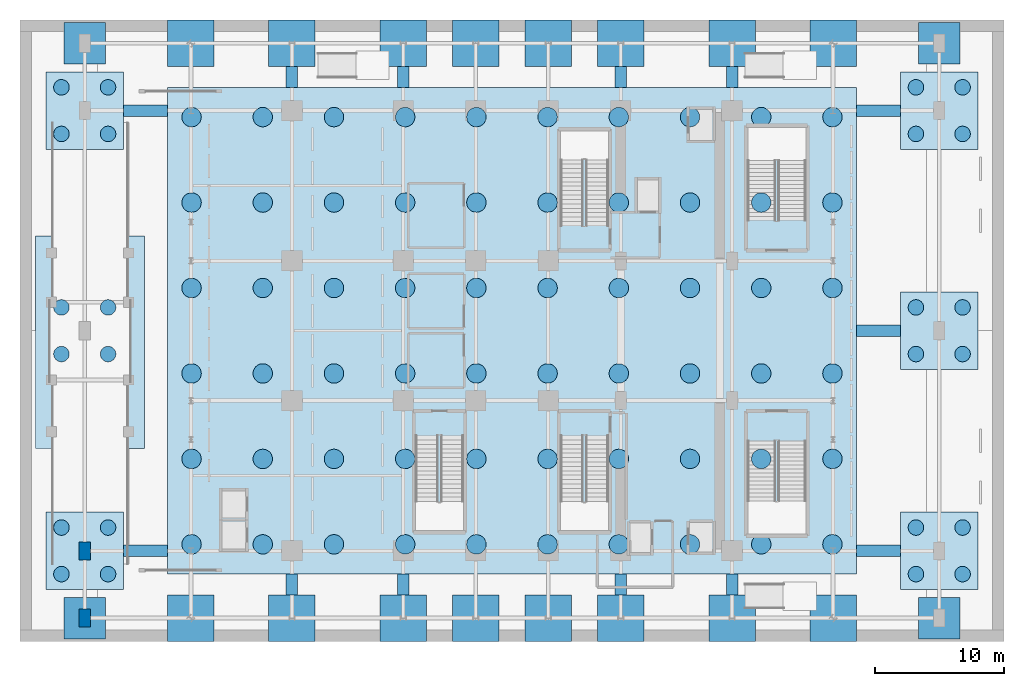
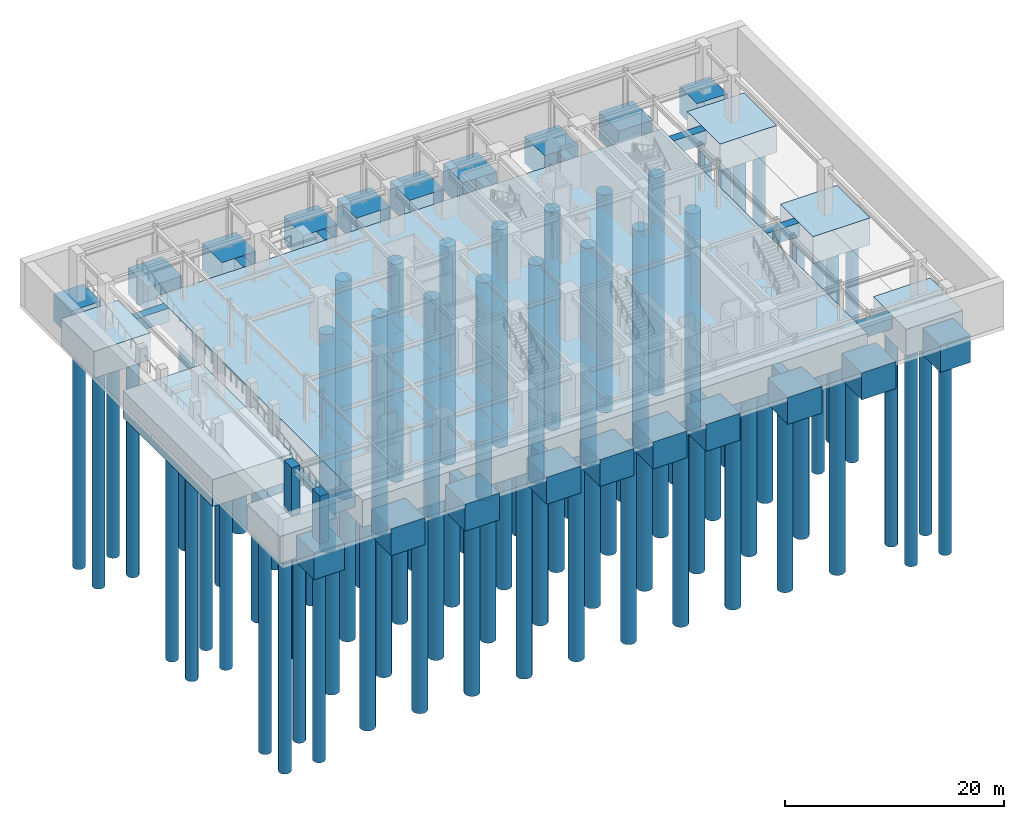
# One storey, part 1 of 14: 84 piles, 40 footings, 2 columns.
"""IFC4 building model written with IfcOpenShell, lengths in metres."""

import ifcopenshell
import ifcopenshell.guid

model = None  # the IFC model being written
_history = None  # IfcOwnerHistory: only IFC2X3 demands one
_inside = {}  # id of a spatial element -> (the spatial element, [elements in it])
_under = {}  # id of a project, library or spatial element -> (it, [spatial elements below it])
_declared = {}  # id of a project -> (the project, [libraries it declares])
_typed = {}  # id of a type object -> (the type object, [elements of that type])
_made_of = {}  # id of a material, layer set ... -> (it, [elements and type objects made of it])


def new_model(schema):
    """Start an empty IFC model of exactly this schema.

    Asked for "IFC4X3", IfcOpenShell would pick the latest addendum, in which some entities
    have other attributes; the version numbers below select the first issue.
    IFC2X3 requires an IfcOwnerHistory on every rooted entity: one is made here for all.
    """
    global model, _history
    if schema == "IFC4X3":
        model = ifcopenshell.file(schema_version=(4, 3, 0, 0))
    else:
        model = ifcopenshell.file(schema=schema)
    _inside.clear()
    _under.clear()
    _declared.clear()
    _typed.clear()
    _made_of.clear()
    _history = None
    if model.schema == "IFC2X3":
        org = make("IfcOrganization", Name="unknown")
        user = make(
            "IfcPersonAndOrganization",
            ThePerson=make("IfcPerson", FamilyName="unknown"),
            TheOrganization=org,
        )
        app = make(
            "IfcApplication",
            ApplicationDeveloper=org,
            Version="unknown",
            ApplicationFullName="unknown",
            ApplicationIdentifier="unknown",
        )
        _history = make(
            "IfcOwnerHistory",
            OwningUser=user,
            OwningApplication=app,
            ChangeAction="ADDED",
            CreationDate=0,
        )
    return model


def make(cls, **values):
    """One entity of the class cls with the attributes given. An attribute that is None is left unset."""
    return model.create_entity(
        cls, **{name: value for name, value in values.items() if value is not None}
    )


def rooted(cls, **values):
    """An entity with a GlobalId (a new one), such as an element, a storey or a relation."""
    return make(cls, GlobalId=ifcopenshell.guid.new(), OwnerHistory=_history, **values)


def si_unit(unit_type, name, prefix=None):
    """IfcSIUnit, for example si_unit("LENGTHUNIT", "METRE", prefix="MILLI")."""
    return make("IfcSIUnit", UnitType=unit_type, Prefix=prefix, Name=name)


def assignment(units):
    """IfcUnitAssignment: the units of a project."""
    return None if units is None else make("IfcUnitAssignment", Units=units)


def point(xyz):
    """IfcCartesianPoint."""
    return None if xyz is None else make("IfcCartesianPoint", Coordinates=xyz)


def direction(xyz):
    """IfcDirection."""
    return None if xyz is None else make("IfcDirection", DirectionRatios=xyz)


def frame(location, z_axis=None, x_axis=None):
    """IfcAxis2Placement3D, a coordinate frame: its origin and axes. An axis left out is left unset."""
    return make(
        "IfcAxis2Placement3D",
        Location=point(location),
        Axis=direction(z_axis),
        RefDirection=direction(x_axis),
    )


def frame_2d(location, x_axis=None):
    """IfcAxis2Placement2D, a coordinate frame in the plane: its origin and x axis."""
    return make(
        "IfcAxis2Placement2D", Location=point(location), RefDirection=direction(x_axis)
    )


def origin():
    """The frame at (0, 0, 0) with its axes left unset."""
    return frame((0.0, 0.0, 0.0))


def origin_2d():
    """The frame at (0, 0) in the plane with its x axis left unset."""
    return frame_2d((0.0, 0.0))


def place(relative_to, where):
    """IfcLocalPlacement: puts the frame where relative to a parent placement (None: the world)."""
    return make(
        "IfcLocalPlacement", PlacementRelTo=relative_to, RelativePlacement=where
    )


def context(
    kind, dimensions, precision=None, world=None, true_north=None, identifier=None
):
    """IfcGeometricRepresentationContext, for example the 3D "Model" context."""
    return make(
        "IfcGeometricRepresentationContext",
        ContextIdentifier=identifier,
        ContextType=kind,
        CoordinateSpaceDimension=dimensions,
        Precision=precision,
        WorldCoordinateSystem=world,
        TrueNorth=true_north,
    )


def subcontext(parent, identifier, kind, view, scale=None):
    """IfcGeometricRepresentationSubContext, for example "Body" below "Model"."""
    return make(
        "IfcGeometricRepresentationSubContext",
        ContextIdentifier=identifier,
        ContextType=kind,
        ParentContext=parent,
        TargetScale=scale,
        TargetView=view,
    )


def project(units=None, contexts=None):
    """IfcProject with its units and contexts."""
    return rooted(
        "IfcProject",
        Name="project",
        RepresentationContexts=contexts,
        UnitsInContext=assignment(units),
    )


def spatial(cls, under=None, at=None, **own):
    """A site, building, storey or space (cls), placed at a placement, below another one or the project."""
    s = rooted(cls, ObjectPlacement=at, **own)
    if under is not None:
        _under.setdefault(under.id(), (under, []))[1].append(s)
    return s


def profile(cls, at=None, kind="AREA", **sizes):
    """A parametric profile (cls). Its sizes go by their IFC names, for example OverallWidth=200.0."""
    return make(cls, ProfileType=kind, Position=at, **sizes)


def rectangle(**sizes):
    """IfcRectangleProfileDef."""
    return profile("IfcRectangleProfileDef", **sizes)


def circle(**sizes):
    """IfcCircleProfileDef."""
    return profile("IfcCircleProfileDef", **sizes)


def extrude(swept, where, along, depth):
    """IfcExtrudedAreaSolid: the profile swept, set in the frame where, extruded along a direction by depth."""
    return make(
        "IfcExtrudedAreaSolid",
        SweptArea=swept,
        Position=where,
        ExtrudedDirection=direction(along),
        Depth=depth,
    )


def shape(context_of_items, identifier, shape_type, items):
    """IfcShapeRepresentation: the items that make up one representation, for example the "Body"."""
    return make(
        "IfcShapeRepresentation",
        ContextOfItems=context_of_items,
        RepresentationIdentifier=identifier,
        RepresentationType=shape_type,
        Items=items,
    )


def source(mapping_origin, context_of_items, identifier, shape_type, items):
    """IfcRepresentationMap: a shape defined once, which mapped items show again and again."""
    return make(
        "IfcRepresentationMap",
        MappingOrigin=mapping_origin,
        MappedRepresentation=shape(context_of_items, identifier, shape_type, items),
    )


def transform(
    local_origin,
    x_axis=None,
    y_axis=None,
    z_axis=None,
    scale=None,
    scale2=None,
    scale3=None,
    uniform=True,
):
    """IfcCartesianTransformationOperator3D, or its non-uniform kind. x_axis, y_axis, z_axis: its Axis1, 2, 3."""
    if uniform:
        return make(
            "IfcCartesianTransformationOperator3D",
            Axis1=direction(x_axis),
            Axis2=direction(y_axis),
            LocalOrigin=point(local_origin),
            Scale=scale,
            Axis3=direction(z_axis),
        )
    return make(
        "IfcCartesianTransformationOperator3DnonUniform",
        Axis1=direction(x_axis),
        Axis2=direction(y_axis),
        LocalOrigin=point(local_origin),
        Scale=scale,
        Axis3=direction(z_axis),
        Scale2=scale2,
        Scale3=scale3,
    )


def mapped(mapping_source, mapping_target):
    """IfcMappedItem: shows the shape of a source again, moved by a transform."""
    return make(
        "IfcMappedItem", MappingSource=mapping_source, MappingTarget=mapping_target
    )


def material(Name=None, Category=None):
    """IfcMaterial."""
    return make("IfcMaterial", Name=Name, Category=Category)


def layer(
    of_material, thickness, ventilated=None, Name=None, Category=None, Priority=None
):
    """IfcMaterialLayer: one layer of a wall or slab, of a material (None: an air gap)."""
    return make(
        "IfcMaterialLayer",
        Material=of_material,
        LayerThickness=thickness,
        IsVentilated=ventilated,
        Name=Name,
        Category=Category,
        Priority=Priority,
    )


def layer_set(layers, Name=None):
    """IfcMaterialLayerSet."""
    return make("IfcMaterialLayerSet", MaterialLayers=layers, LayerSetName=Name)


def material_profile(
    of_material, cross_section, Name=None, Category=None, Priority=None
):
    """IfcMaterialProfile: a cross section and its material."""
    return make(
        "IfcMaterialProfile",
        Name=Name,
        Material=of_material,
        Profile=cross_section,
        Priority=Priority,
        Category=Category,
    )


def profile_set(profiles, Name=None, composite=None):
    """IfcMaterialProfileSet."""
    return make(
        "IfcMaterialProfileSet",
        Name=Name,
        MaterialProfiles=profiles,
        CompositeProfile=composite,
    )


def made_of(thing, what):
    """Note that an element or type object is made of a material, layer set ...; save() writes the relation."""
    if what is not None:
        _made_of.setdefault(what.id(), (what, []))[1].append(thing)
    return thing


def type_object(cls, material=None, **own):
    """A type object (cls), such as IfcWallType, which elements share."""
    return made_of(rooted(cls, **own), material)


def element(
    cls,
    number,
    at=None,
    inside=None,
    cuts=None,
    type_object=None,
    material=None,
    context=None,
    identifier="Body",
    shape_type=None,
    held_by="IfcProductDefinitionShape",
    body=None,
    shapes=None,
    **own,
):
    """One element of the class cls, such as IfcWall. Its Tag is "e" and its number.

    at: its placement. inside: the storey or other place that contains it. cuts: it is an
    opening in that element (IfcRelVoidsElement). A single representation is given by context,
    identifier, shape_type and body (its items); several are given by shapes. held_by: the class
    of the entity that holds the representations. save() writes the other relations.
    """
    e = rooted(cls, Tag="e%d" % number, ObjectPlacement=at, **own)
    if body is not None:
        shapes = [shape(context, identifier, shape_type, body)]
    if shapes is not None:
        e.Representation = make(held_by, Representations=shapes)
    if inside is not None:
        _inside.setdefault(inside.id(), (inside, []))[1].append(e)
    if cuts is not None:
        rooted(
            "IfcRelVoidsElement", RelatingBuildingElement=cuts, RelatedOpeningElement=e
        )
    if type_object is not None:
        _typed.setdefault(type_object.id(), (type_object, []))[1].append(e)
    return made_of(e, material)


def aggregate(whole, parts):
    """IfcRelAggregates: a whole, such as a stair, and the parts it consists of."""
    return rooted("IfcRelAggregates", RelatingObject=whole, RelatedObjects=parts)


def save(model, path):
    """Write the relations noted so far, then the file.

    IfcRelAggregates (storeys below a building ...), IfcRelContainedInSpatialStructure (elements
    in a storey), IfcRelDefinesByType, IfcRelAssociatesMaterial and IfcRelDeclares: one each for
    every whole, place, type object, material and project.
    """
    for whole, parts in _under.values():
        aggregate(whole, parts)
    for where, things in _inside.values():
        rooted(
            "IfcRelContainedInSpatialStructure",
            RelatedElements=things,
            RelatingStructure=where,
        )
    for kind, things in _typed.values():
        rooted("IfcRelDefinesByType", RelatedObjects=things, RelatingType=kind)
    for what, things in _made_of.values():
        rooted("IfcRelAssociatesMaterial", RelatedObjects=things, RelatingMaterial=what)
    for by, libraries in _declared.values():
        rooted("IfcRelDeclares", RelatingContext=by, RelatedDefinitions=libraries)
    model.write(path)


model = new_model("IFC4")

# Units and contexts
model_context = context("Model", 3, precision=1e-05, world=origin(), true_north=direction((0.0, 1.0)))
body_context = subcontext(model_context, "Body", "Model", "MODEL_VIEW")
ifc_project = project(units=[si_unit("LENGTHUNIT", "METRE"), si_unit("AREAUNIT", "SQUARE_METRE"), si_unit("VOLUMEUNIT", "CUBIC_METRE"), si_unit("PLANEANGLEUNIT", "RADIAN"), si_unit("MASSUNIT", "GRAM", prefix="KILO")], contexts=[model_context])

# Site, building, storey
site_placement = place(None, origin())
site = spatial("IfcSite", under=ifc_project, at=site_placement, CompositionType="ELEMENT")
building_placement = place(site_placement, origin())
building = spatial("IfcBuilding", under=site, at=building_placement, Name="Nahalor Promenade Grand Hotel", CompositionType="ELEMENT")
storey_placement = place(building_placement, frame((0.0, 0.0, -10.800048828125)))
storey = spatial("IfcBuildingStorey", under=building, at=storey_placement, Name="B02", CompositionType="ELEMENT", Elevation=-10.800048828125)

# Footing
ifc_material_1 = material(Name="Concrete B-50 (C40/50)", Category="concrete")
ifc_layer_1 = layer(ifc_material_1, 3.0)
ifc_layer_set_1 = layer_set([ifc_layer_1], Name="Concrete B-50 (C40/50)")
footing_type_1 = type_object("IfcFootingType", Name="Tower Piled Raft Mat 3000 mm", PredefinedType="CAISSON_FOUNDATION", material=ifc_layer_set_1)
shared_shape_1 = source(origin(), body_context, "Body", "SweptSolid", [
    extrude(rectangle(XDim=53.199951171875, YDim=37.60009765625, at=origin_2d()), origin(), (0.0, 0.0, 1.0), 3.0),
])
footing_1_placement = place(storey_placement, frame((0.0, 0.0, -3.0), z_axis=(0.0, 0.0, 1.0), x_axis=(1.0, 0.0, 0.0)))
element("IfcFooting", 1, at=footing_1_placement, inside=storey, type_object=footing_type_1, Name="Tower Piled Raft FT-RF1", PredefinedType="CAISSON_FOUNDATION", context=body_context, shape_type="MappedRepresentation", body=[
    mapped(shared_shape_1, transform((0.0, 0.0, 0.0), scale=1.0)),
])

# Piles
ifc_material_profile_1 = material_profile(ifc_material_1, circle(Radius=0.75, at=origin_2d()), Name="PILE D1500")
ifc_profile_set_1 = profile_set([ifc_material_profile_1], Name="Concrete B-50 (C40/50)")
pile_type_1 = type_object("IfcPileType", Name="Bored Concrete Pile 1500 mm", PredefinedType="BORED", material=ifc_profile_set_1)
shared_shape_2 = source(origin(), body_context, "Body", "SweptSolid", [
    extrude(circle(Radius=0.75, at=origin_2d()), origin(), (0.0, 0.0, 1.0), 24.300048828125),
])
for number, where, z_axis, x_axis, name in (
    (2, (-24.75, -16.5, -2.89990234375), (0.0, 0.0, -1.0), (1.0, 0.0, 0.0), "Tower Raft Bored Pile P-01"),
    (3, (-24.75, -9.89990234375, -2.89990234375), (0.0, 0.0, -1.0), (1.0, 0.0, 0.0), "Tower Raft Bored Pile P-02"),
    (4, (-24.75, -3.300048828125, -2.89990234375), (0.0, 0.0, -1.0), (1.0, 0.0, 0.0), "Tower Raft Bored Pile P-03"),
    (5, (-24.75, 3.300048828125, -2.89990234375), (0.0, 0.0, -1.0), (1.0, 0.0, 0.0), "Tower Raft Bored Pile P-04"),
    (6, (-24.75, 9.89990234375, -2.89990234375), (0.0, 0.0, -1.0), (1.0, 0.0, 0.0), "Tower Raft Bored Pile P-05"),
    (7, (-24.75, 16.5, -2.89990234375), (0.0, 0.0, -1.0), (1.0, 0.0, 0.0), "Tower Raft Bored Pile P-06"),
    (8, (-19.25, -16.5, -2.89990234375), (0.0, 0.0, -1.0), (1.0, 0.0, 0.0), "Tower Raft Bored Pile P-07"),
    (9, (-19.25, -9.89990234375, -2.89990234375), (0.0, 0.0, -1.0), (1.0, 0.0, 0.0), "Tower Raft Bored Pile P-08"),
    (10, (-19.25, -3.300048828125, -2.89990234375), (0.0, 0.0, -1.0), (1.0, 0.0, 0.0), "Tower Raft Bored Pile P-09"),
    (11, (-19.25, 3.300048828125, -2.89990234375), (0.0, 0.0, -1.0), (1.0, 0.0, 0.0), "Tower Raft Bored Pile P-10"),
    (12, (-19.25, 9.89990234375, -2.89990234375), (0.0, 0.0, -1.0), (1.0, 0.0, 0.0), "Tower Raft Bored Pile P-11"),
    (13, (-19.25, 16.5, -2.89990234375), (0.0, 0.0, -1.0), (1.0, 0.0, 0.0), "Tower Raft Bored Pile P-12"),
    (14, (-13.75, -16.5, -2.89990234375), (0.0, 0.0, -1.0), (1.0, 0.0, 0.0), "Tower Raft Bored Pile P-13"),
    (15, (-13.75, -9.89990234375, -2.89990234375), (0.0, 0.0, -1.0), (1.0, 0.0, 0.0), "Tower Raft Bored Pile P-14"),
    (16, (-13.75, -3.300048828125, -2.89990234375), (0.0, 0.0, -1.0), (1.0, 0.0, 0.0), "Tower Raft Bored Pile P-15"),
    (17, (-13.75, 3.300048828125, -2.89990234375), (0.0, 0.0, -1.0), (1.0, 0.0, 0.0), "Tower Raft Bored Pile P-16"),
    (18, (-13.75, 9.89990234375, -2.89990234375), (0.0, 0.0, -1.0), (1.0, 0.0, 0.0), "Tower Raft Bored Pile P-17"),
    (19, (-13.75, 16.5, -2.89990234375), (0.0, 0.0, -1.0), (1.0, 0.0, 0.0), "Tower Raft Bored Pile P-18"),
    (20, (-8.25, -16.5, -2.89990234375), (0.0, 0.0, -1.0), (1.0, 0.0, 0.0), "Tower Raft Bored Pile P-19"),
    (21, (-8.25, -9.89990234375, -2.89990234375), (0.0, 0.0, -1.0), (1.0, 0.0, 0.0), "Tower Raft Bored Pile P-20"),
    (22, (-8.25, -3.300048828125, -2.89990234375), (0.0, 0.0, -1.0), (1.0, 0.0, 0.0), "Tower Raft Bored Pile P-21"),
    (23, (-8.25, 3.300048828125, -2.89990234375), (0.0, 0.0, -1.0), (1.0, 0.0, 0.0), "Tower Raft Bored Pile P-22"),
    (24, (-8.25, 9.89990234375, -2.89990234375), (0.0, 0.0, -1.0), (1.0, 0.0, 0.0), "Tower Raft Bored Pile P-23"),
    (25, (-8.25, 16.5, -2.89990234375), (0.0, 0.0, -1.0), (1.0, 0.0, 0.0), "Tower Raft Bored Pile P-24"),
    (26, (-2.75, -16.5, -2.89990234375), (0.0, 0.0, -1.0), (1.0, 0.0, 0.0), "Tower Raft Bored Pile P-25"),
    (27, (-2.75, -9.89990234375, -2.89990234375), (0.0, 0.0, -1.0), (1.0, 0.0, 0.0), "Tower Raft Bored Pile P-26"),
    (28, (-2.75, -3.300048828125, -2.89990234375), (0.0, 0.0, -1.0), (1.0, 0.0, 0.0), "Tower Raft Bored Pile P-27"),
    (29, (-2.75, 3.300048828125, -2.89990234375), (0.0, 0.0, -1.0), (1.0, 0.0, 0.0), "Tower Raft Bored Pile P-28"),
    (30, (-2.75, 9.89990234375, -2.89990234375), (0.0, 0.0, -1.0), (1.0, 0.0, 0.0), "Tower Raft Bored Pile P-29"),
    (31, (-2.75, 16.5, -2.89990234375), (0.0, 0.0, -1.0), (1.0, 0.0, 0.0), "Tower Raft Bored Pile P-30"),
    (32, (2.75, -16.5, -2.89990234375), (0.0, 0.0, -1.0), (1.0, 0.0, 0.0), "Tower Raft Bored Pile P-31"),
    (33, (2.75, -9.89990234375, -2.89990234375), (0.0, 0.0, -1.0), (1.0, 0.0, 0.0), "Tower Raft Bored Pile P-32"),
    (34, (2.75, -3.300048828125, -2.89990234375), (0.0, 0.0, -1.0), (1.0, 0.0, 0.0), "Tower Raft Bored Pile P-33"),
    (35, (2.75, 3.300048828125, -2.89990234375), (0.0, 0.0, -1.0), (1.0, 0.0, 0.0), "Tower Raft Bored Pile P-34"),
    (36, (2.75, 9.89990234375, -2.89990234375), (0.0, 0.0, -1.0), (1.0, 0.0, 0.0), "Tower Raft Bored Pile P-35"),
    (37, (2.75, 16.5, -2.89990234375), (0.0, 0.0, -1.0), (1.0, 0.0, 0.0), "Tower Raft Bored Pile P-36"),
    (38, (8.25, -16.5, -2.89990234375), (0.0, 0.0, -1.0), (1.0, 0.0, 0.0), "Tower Raft Bored Pile P-37"),
    (39, (8.25, -9.89990234375, -2.89990234375), (0.0, 0.0, -1.0), (1.0, 0.0, 0.0), "Tower Raft Bored Pile P-38"),
    (40, (8.25, -3.300048828125, -2.89990234375), (0.0, 0.0, -1.0), (1.0, 0.0, 0.0), "Tower Raft Bored Pile P-39"),
    (41, (8.25, 3.300048828125, -2.89990234375), (0.0, 0.0, -1.0), (1.0, 0.0, 0.0), "Tower Raft Bored Pile P-40"),
    (42, (8.25, 9.89990234375, -2.89990234375), (0.0, 0.0, -1.0), (1.0, 0.0, 0.0), "Tower Raft Bored Pile P-41"),
    (43, (8.25, 16.5, -2.89990234375), (0.0, 0.0, -1.0), (1.0, 0.0, 0.0), "Tower Raft Bored Pile P-42"),
    (44, (13.75, -16.5, -2.89990234375), (0.0, 0.0, -1.0), (1.0, 0.0, 0.0), "Tower Raft Bored Pile P-43"),
    (45, (13.75, -9.89990234375, -2.89990234375), (0.0, 0.0, -1.0), (1.0, 0.0, 0.0), "Tower Raft Bored Pile P-44"),
    (46, (13.75, -3.300048828125, -2.89990234375), (0.0, 0.0, -1.0), (1.0, 0.0, 0.0), "Tower Raft Bored Pile P-45"),
    (47, (13.75, 3.300048828125, -2.89990234375), (0.0, 0.0, -1.0), (1.0, 0.0, 0.0), "Tower Raft Bored Pile P-46"),
    (48, (13.75, 9.89990234375, -2.89990234375), (0.0, 0.0, -1.0), (1.0, 0.0, 0.0), "Tower Raft Bored Pile P-47"),
    (49, (13.75, 16.5, -2.89990234375), (0.0, 0.0, -1.0), (1.0, 0.0, 0.0), "Tower Raft Bored Pile P-48"),
    (50, (19.25, -16.5, -2.89990234375), (0.0, 0.0, -1.0), (1.0, 0.0, 0.0), "Tower Raft Bored Pile P-49"),
    (51, (19.25, -9.89990234375, -2.89990234375), (0.0, 0.0, -1.0), (1.0, 0.0, 0.0), "Tower Raft Bored Pile P-50"),
    (52, (19.25, -3.300048828125, -2.89990234375), (0.0, 0.0, -1.0), (1.0, 0.0, 0.0), "Tower Raft Bored Pile P-51"),
    (53, (19.25, 3.300048828125, -2.89990234375), (0.0, 0.0, -1.0), (1.0, 0.0, 0.0), "Tower Raft Bored Pile P-52"),
    (54, (19.25, 9.89990234375, -2.89990234375), (0.0, 0.0, -1.0), (1.0, 0.0, 0.0), "Tower Raft Bored Pile P-53"),
    (55, (19.25, 16.5, -2.89990234375), (0.0, 0.0, -1.0), (1.0, 0.0, 0.0), "Tower Raft Bored Pile P-54"),
    (56, (24.75, -16.5, -2.89990234375), (0.0, 0.0, -1.0), (1.0, 0.0, 0.0), "Tower Raft Bored Pile P-55"),
    (57, (24.75, -9.89990234375, -2.89990234375), (0.0, 0.0, -1.0), (1.0, 0.0, 0.0), "Tower Raft Bored Pile P-56"),
    (58, (24.75, -3.300048828125, -2.89990234375), (0.0, 0.0, -1.0), (1.0, 0.0, 0.0), "Tower Raft Bored Pile P-57"),
    (59, (24.75, 3.300048828125, -2.89990234375), (0.0, 0.0, -1.0), (1.0, 0.0, 0.0), "Tower Raft Bored Pile P-58"),
    (60, (24.75, 9.89990234375, -2.89990234375), (0.0, 0.0, -1.0), (1.0, 0.0, 0.0), "Tower Raft Bored Pile P-59"),
    (61, (24.75, 16.5, -2.89990234375), (0.0, 0.0, -1.0), (1.0, 0.0, 0.0), "Tower Raft Bored Pile P-60"),
):
    element("IfcPile", number, at=place(storey_placement, frame(where, z_axis=z_axis, x_axis=x_axis)), inside=storey, type_object=pile_type_1, Name=name, PredefinedType="BORED", context=body_context, shape_type="MappedRepresentation", body=[
        mapped(shared_shape_2, transform((0.0, 0.0, 0.0), scale=1.0)),
    ])

# Footings
ifc_layer_2 = layer(ifc_material_1, 3.0)
ifc_layer_set_2 = layer_set([ifc_layer_2], Name="Concrete B-50 (C40/50)")
footing_type_2 = type_object("IfcFootingType", Name="Podium Four Pile Foundation Cap 6000 mm", PredefinedType="PILE_CAP", material=ifc_layer_set_2)
shared_shape_3 = source(origin(), body_context, "Body", "SweptSolid", [
    extrude(rectangle(XDim=6.0, YDim=6.0, at=origin_2d()), origin(), (0.0, 0.0, 1.0), 3.0),
])
for number, where, z_axis, x_axis, name in (
    (62, (-33.0, -17.0, -3.0), (0.0, 0.0, 1.0), (1.0, 0.0, 0.0), "Podium Multi-Pile Cap PC-01"),
    (63, (-33.0, 17.0, -3.0), (0.0, 0.0, 1.0), (1.0, 0.0, 0.0), "Podium Multi-Pile Cap PC-03"),
    (64, (33.0, -17.0, -3.0), (0.0, 0.0, 1.0), (1.0, 0.0, 0.0), "Podium Multi-Pile Cap PC-04"),
    (65, (33.0, 0.0, -3.0), (0.0, 0.0, 1.0), (1.0, 0.0, 0.0), "Podium Multi-Pile Cap PC-05"),
    (66, (33.0, 17.0, -3.0), (0.0, 0.0, 1.0), (1.0, 0.0, 0.0), "Podium Multi-Pile Cap PC-06"),
):
    element("IfcFooting", number, at=place(storey_placement, frame(where, z_axis=z_axis, x_axis=x_axis)), inside=storey, type_object=footing_type_2, Name=name, PredefinedType="PILE_CAP", context=body_context, shape_type="MappedRepresentation", body=[
        mapped(shared_shape_3, transform((0.0, 0.0, 0.0), scale=1.0)),
    ])

# Piles
ifc_material_profile_2 = material_profile(ifc_material_1, circle(Radius=0.6, at=origin_2d()), Name="PILE D1200")
ifc_profile_set_2 = profile_set([ifc_material_profile_2], Name="Concrete B-50 (C40/50)")
pile_type_2 = type_object("IfcPileType", Name="Bored Concrete Pile 1200 mm", PredefinedType="BORED", material=ifc_profile_set_2)
shared_shape_4 = source(origin(), body_context, "Body", "SweptSolid", [
    extrude(circle(Radius=0.6, at=origin_2d()), origin(), (0.0, 0.0, 1.0), 24.300048828125),
])
for number, where, z_axis, x_axis, name in (
    (67, (-34.800048828125, -18.800048828125, -2.89990234375), (0.0, 0.0, -1.0), (1.0, 0.0, 0.0), "Podium Cap Bored Pile P-61"),
    (68, (-34.800048828125, -15.199951171875, -2.89990234375), (0.0, 0.0, -1.0), (1.0, 0.0, 0.0), "Podium Cap Bored Pile P-62"),
    (69, (-31.199951171875, -18.800048828125, -2.89990234375), (0.0, 0.0, -1.0), (1.0, 0.0, 0.0), "Podium Cap Bored Pile P-63"),
    (70, (-31.199951171875, -15.199951171875, -2.89990234375), (0.0, 0.0, -1.0), (1.0, 0.0, 0.0), "Podium Cap Bored Pile P-64"),
    (71, (-34.800048828125, -1.800048828125, -2.89990234375), (0.0, 0.0, -1.0), (1.0, 0.0, 0.0), "Podium Cap Bored Pile P-65"),
    (72, (-34.800048828125, 1.800048828125, -2.89990234375), (0.0, 0.0, -1.0), (1.0, 0.0, 0.0), "Podium Cap Bored Pile P-66"),
    (73, (-31.199951171875, -1.800048828125, -2.89990234375), (0.0, 0.0, -1.0), (1.0, 0.0, 0.0), "Podium Cap Bored Pile P-67"),
    (74, (-31.199951171875, 1.800048828125, -2.89990234375), (0.0, 0.0, -1.0), (1.0, 0.0, 0.0), "Podium Cap Bored Pile P-68"),
    (75, (-34.800048828125, 15.199951171875, -2.89990234375), (0.0, 0.0, -1.0), (1.0, 0.0, 0.0), "Podium Cap Bored Pile P-69"),
    (76, (-34.800048828125, 18.800048828125, -2.89990234375), (0.0, 0.0, -1.0), (1.0, 0.0, 0.0), "Podium Cap Bored Pile P-70"),
    (77, (-31.199951171875, 15.199951171875, -2.89990234375), (0.0, 0.0, -1.0), (1.0, 0.0, 0.0), "Podium Cap Bored Pile P-71"),
    (78, (-31.199951171875, 18.800048828125, -2.89990234375), (0.0, 0.0, -1.0), (1.0, 0.0, 0.0), "Podium Cap Bored Pile P-72"),
    (79, (31.199951171875, -18.800048828125, -2.89990234375), (0.0, 0.0, -1.0), (1.0, 0.0, 0.0), "Podium Cap Bored Pile P-73"),
    (80, (31.199951171875, -15.199951171875, -2.89990234375), (0.0, 0.0, -1.0), (1.0, 0.0, 0.0), "Podium Cap Bored Pile P-74"),
    (81, (34.800048828125, -18.800048828125, -2.89990234375), (0.0, 0.0, -1.0), (1.0, 0.0, 0.0), "Podium Cap Bored Pile P-75"),
    (82, (34.800048828125, -15.199951171875, -2.89990234375), (0.0, 0.0, -1.0), (1.0, 0.0, 0.0), "Podium Cap Bored Pile P-76"),
    (83, (31.199951171875, -1.800048828125, -2.89990234375), (0.0, 0.0, -1.0), (1.0, 0.0, 0.0), "Podium Cap Bored Pile P-77"),
    (84, (31.199951171875, 1.800048828125, -2.89990234375), (0.0, 0.0, -1.0), (1.0, 0.0, 0.0), "Podium Cap Bored Pile P-78"),
    (85, (34.800048828125, -1.800048828125, -2.89990234375), (0.0, 0.0, -1.0), (1.0, 0.0, 0.0), "Podium Cap Bored Pile P-79"),
    (86, (34.800048828125, 1.800048828125, -2.89990234375), (0.0, 0.0, -1.0), (1.0, 0.0, 0.0), "Podium Cap Bored Pile P-80"),
    (87, (31.199951171875, 15.199951171875, -2.89990234375), (0.0, 0.0, -1.0), (1.0, 0.0, 0.0), "Podium Cap Bored Pile P-81"),
    (88, (31.199951171875, 18.800048828125, -2.89990234375), (0.0, 0.0, -1.0), (1.0, 0.0, 0.0), "Podium Cap Bored Pile P-82"),
    (89, (34.800048828125, 15.199951171875, -2.89990234375), (0.0, 0.0, -1.0), (1.0, 0.0, 0.0), "Podium Cap Bored Pile P-83"),
    (90, (34.800048828125, 18.800048828125, -2.89990234375), (0.0, 0.0, -1.0), (1.0, 0.0, 0.0), "Podium Cap Bored Pile P-84"),
):
    element("IfcPile", number, at=place(storey_placement, frame(where, z_axis=z_axis, x_axis=x_axis)), inside=storey, type_object=pile_type_2, Name=name, PredefinedType="BORED", context=body_context, shape_type="MappedRepresentation", body=[
        mapped(shared_shape_4, transform((0.0, 0.0, 0.0), scale=1.0)),
    ])

# Footings
shared_shape_5 = source(origin(), body_context, "Body", "SweptSolid", [
    extrude(rectangle(XDim=8.39990234375, YDim=16.39990234375, at=origin_2d()), origin(), (0.0, 0.0, 1.0), 3.0),
])
footing_2_placement = place(storey_placement, frame((-32.60009765625, -0.89990234375, -3.0), z_axis=(0.0, 0.0, 1.0), x_axis=(1.0, 0.0, 0.0)))
element("IfcFooting", 91, at=footing_2_placement, inside=storey, type_object=footing_type_2, Name="Podium Multi-Pile Cap PC-02", PredefinedType="PILE_CAP", context=body_context, shape_type="MappedRepresentation", body=[
    mapped(shared_shape_5, transform((0.0, 0.0, 0.0), scale=1.0)),
])
ifc_layer_3 = layer(ifc_material_1, 3.0)
ifc_layer_set_3 = layer_set([ifc_layer_3], Name="Concrete B-50 (C40/50)")
footing_type_3 = type_object("IfcFootingType", Name="Podium Pad Foundation 3600 mm", PredefinedType="PAD_FOOTING", material=ifc_layer_set_3)
shared_shape_6 = source(origin(), body_context, "Body", "SweptSolid", [
    extrude(rectangle(XDim=3.60009765625, YDim=3.60009765625, at=origin_2d()), origin(), (0.0, 0.0, 1.0), 3.0),
])
for number, where, z_axis, x_axis, name in (
    (92, (-24.800048828125, -22.199951171875, -3.0), (0.0, 0.0, 1.0), (1.0, 0.0, 0.0), "Podium Pad Footing PD-01"),
    (93, (-17.0, -22.199951171875, -3.0), (0.0, 0.0, 1.0), (1.0, 0.0, 0.0), "Podium Pad Footing PD-02"),
    (94, (-8.39990234375, -22.199951171875, -3.0), (0.0, 0.0, 1.0), (1.0, 0.0, 0.0), "Podium Pad Footing PD-03"),
    (95, (-2.800048828125, -22.199951171875, -3.0), (0.0, 0.0, 1.0), (1.0, 0.0, 0.0), "Podium Pad Footing PD-04"),
    (96, (2.800048828125, -22.199951171875, -3.0), (0.0, 0.0, 1.0), (1.0, 0.0, 0.0), "Podium Pad Footing PD-05"),
    (97, (8.39990234375, -22.199951171875, -3.0), (0.0, 0.0, 1.0), (1.0, 0.0, 0.0), "Podium Pad Footing PD-06"),
    (98, (17.0, -22.199951171875, -3.0), (0.0, 0.0, 1.0), (1.0, 0.0, 0.0), "Podium Pad Footing PD-07"),
    (99, (24.800048828125, -22.199951171875, -3.0), (0.0, 0.0, 1.0), (1.0, 0.0, 0.0), "Podium Pad Footing PD-08"),
    (100, (-24.800048828125, 22.199951171875, -3.0), (0.0, 0.0, 1.0), (1.0, 0.0, 0.0), "Podium Pad Footing PD-11"),
    (101, (-17.0, 22.199951171875, -3.0), (0.0, 0.0, 1.0), (1.0, 0.0, 0.0), "Podium Pad Footing PD-12"),
    (102, (-8.39990234375, 22.199951171875, -3.0), (0.0, 0.0, 1.0), (1.0, 0.0, 0.0), "Podium Pad Footing PD-13"),
    (103, (-2.800048828125, 22.199951171875, -3.0), (0.0, 0.0, 1.0), (1.0, 0.0, 0.0), "Podium Pad Footing PD-14"),
    (104, (2.800048828125, 22.199951171875, -3.0), (0.0, 0.0, 1.0), (1.0, 0.0, 0.0), "Podium Pad Footing PD-15"),
    (105, (8.39990234375, 22.199951171875, -3.0), (0.0, 0.0, 1.0), (1.0, 0.0, 0.0), "Podium Pad Footing PD-16"),
    (106, (17.0, 22.199951171875, -3.0), (0.0, 0.0, 1.0), (1.0, 0.0, 0.0), "Podium Pad Footing PD-17"),
    (107, (24.800048828125, 22.199951171875, -3.0), (0.0, 0.0, 1.0), (1.0, 0.0, 0.0), "Podium Pad Footing PD-18"),
):
    element("IfcFooting", number, at=place(storey_placement, frame(where, z_axis=z_axis, x_axis=x_axis)), inside=storey, type_object=footing_type_3, Name=name, PredefinedType="PAD_FOOTING", context=body_context, shape_type="MappedRepresentation", body=[
        mapped(shared_shape_6, transform((0.0, 0.0, 0.0), scale=1.0)),
    ])
ifc_layer_4 = layer(ifc_material_1, 3.0)
ifc_layer_set_4 = layer_set([ifc_layer_4], Name="Concrete B-50 (C40/50)")
footing_type_4 = type_object("IfcFootingType", Name="Podium Pad Foundation 3200 mm", PredefinedType="PAD_FOOTING", material=ifc_layer_set_4)
shared_shape_7 = source(origin(), body_context, "Body", "SweptSolid", [
    extrude(rectangle(XDim=3.199951171875, YDim=3.199951171875, at=origin_2d()), origin(), (0.0, 0.0, 1.0), 3.0),
])
for number, where, z_axis, x_axis, name in (
    (108, (-33.0, -22.199951171875, -3.0), (0.0, 0.0, 1.0), (1.0, 0.0, 0.0), "Podium Corner Pad Footing PD-09"),
    (109, (33.0, -22.199951171875, -3.0), (0.0, 0.0, 1.0), (1.0, 0.0, 0.0), "Podium Corner Pad Footing PD-10"),
    (110, (-33.0, 22.199951171875, -3.0), (0.0, 0.0, 1.0), (1.0, 0.0, 0.0), "Podium Corner Pad Footing PD-19"),
    (111, (33.0, 22.199951171875, -3.0), (0.0, 0.0, 1.0), (1.0, 0.0, 0.0), "Podium Corner Pad Footing PD-20"),
):
    element("IfcFooting", number, at=place(storey_placement, frame(where, z_axis=z_axis, x_axis=x_axis)), inside=storey, type_object=footing_type_4, Name=name, PredefinedType="PAD_FOOTING", context=body_context, shape_type="MappedRepresentation", body=[
        mapped(shared_shape_7, transform((0.0, 0.0, 0.0), scale=1.0)),
    ])
ifc_layer_5 = layer(ifc_material_1, 1.5)
ifc_layer_set_5 = layer_set([ifc_layer_5], Name="Concrete B-50 (C40/50)")
footing_type_5 = type_object("IfcFootingType", Name="Perimeter Tie Strip Foundation 900x1500 mm", PredefinedType="STRIP_FOOTING", material=ifc_layer_set_5)
shared_shape_8 = source(origin(), body_context, "Body", "SweptSolid", [
    extrude(rectangle(XDim=3.39990234375, YDim=0.89990234375, at=origin_2d()), origin(), (0.0, 0.0, 1.0), 1.5),
])
for number, where, z_axis, x_axis, name in (
    (112, (-28.300048828125, -17.0, -1.5), (0.0, 0.0, 1.0), (1.0, 0.0, 0.0), "FT-SF-01"),
    (113, (28.300048828125, -17.0, -1.5), (0.0, 0.0, 1.0), (1.0, 0.0, 0.0), "FT-SF-02"),
    (114, (28.300048828125, 0.0, -1.5), (0.0, 0.0, 1.0), (1.0, 0.0, 0.0), "FT-SF-03"),
    (115, (-28.300048828125, 17.0, -1.5), (0.0, 0.0, 1.0), (1.0, 0.0, 0.0), "FT-SF-04"),
    (116, (28.300048828125, 17.0, -1.5), (0.0, 0.0, 1.0), (1.0, 0.0, 0.0), "FT-SF-05"),
):
    element("IfcFooting", number, at=place(storey_placement, frame(where, z_axis=z_axis, x_axis=x_axis)), inside=storey, type_object=footing_type_5, Name=name, PredefinedType="STRIP_FOOTING", context=body_context, shape_type="MappedRepresentation", body=[
        mapped(shared_shape_8, transform((0.0, 0.0, 0.0), scale=1.0)),
    ])
shared_shape_9 = source(origin(), body_context, "Body", "SweptSolid", [
    extrude(rectangle(XDim=0.89990234375, YDim=1.60009765625, at=origin_2d()), origin(), (0.0, 0.0, 1.0), 1.5),
])
for number, where, z_axis, x_axis, name in (
    (117, (-17.0, -19.60009765625, -1.5), (0.0, 0.0, 1.0), (1.0, 0.0, 0.0), "FT-SF-06"),
    (118, (-17.0, 19.60009765625, -1.5), (0.0, 0.0, 1.0), (1.0, 0.0, 0.0), "FT-SF-07"),
    (119, (-8.39990234375, -19.60009765625, -1.5), (0.0, 0.0, 1.0), (1.0, 0.0, 0.0), "FT-SF-08"),
    (120, (-8.39990234375, 19.60009765625, -1.5), (0.0, 0.0, 1.0), (1.0, 0.0, 0.0), "FT-SF-09"),
    (121, (8.39990234375, -19.60009765625, -1.5), (0.0, 0.0, 1.0), (1.0, 0.0, 0.0), "FT-SF-10"),
    (122, (8.39990234375, 19.60009765625, -1.5), (0.0, 0.0, 1.0), (1.0, 0.0, 0.0), "FT-SF-11"),
    (123, (17.0, -19.60009765625, -1.5), (0.0, 0.0, 1.0), (1.0, 0.0, 0.0), "FT-SF-12"),
    (124, (17.0, 19.60009765625, -1.5), (0.0, 0.0, 1.0), (1.0, 0.0, 0.0), "FT-SF-13"),
):
    element("IfcFooting", number, at=place(storey_placement, frame(where, z_axis=z_axis, x_axis=x_axis)), inside=storey, type_object=footing_type_5, Name=name, PredefinedType="STRIP_FOOTING", context=body_context, shape_type="MappedRepresentation", body=[
        mapped(shared_shape_9, transform((0.0, 0.0, 0.0), scale=1.0)),
    ])

# Columns
ifc_material_2 = material(Name="Concrete B-60 (C50/60)", Category="concrete")
ifc_material_profile_3 = material_profile(ifc_material_2, rectangle(XDim=0.9, YDim=1.4, at=origin_2d()), Name="RC 900x1400")
ifc_profile_set_3 = profile_set([ifc_material_profile_3], Name="Concrete B-60 (C50/60)")
column_type = type_object("IfcColumnType", Name="Col-Pilaster-1400", PredefinedType="PILASTER", material=ifc_profile_set_3)
shared_shape_10 = source(origin(), body_context, "Body", "SweptSolid", [
    extrude(rectangle(XDim=0.9, YDim=1.4, at=origin_2d()), origin(), (0.0, 0.0, 1.0), 5.35498046875),
])
for number, where, z_axis, x_axis, name in (
    (125, (-33.0, -22.199951171875, 0.0), (0.0, 0.0, 1.0), (1.0, 0.0, 0.0), "COL-B02-PC-W0"),
    (126, (-33.0, -17.0, 0.0), (0.0, 0.0, 1.0), (1.0, 0.0, 0.0), "COL-B02-PC-W1"),
):
    element("IfcColumn", number, at=place(storey_placement, frame(where, z_axis=z_axis, x_axis=x_axis)), inside=storey, type_object=column_type, Name=name, PredefinedType="PILASTER", context=body_context, shape_type="MappedRepresentation", body=[
        mapped(shared_shape_10, transform((0.0, 0.0, 0.0), scale=1.0)),
    ])

save(model, "model.ifc")
